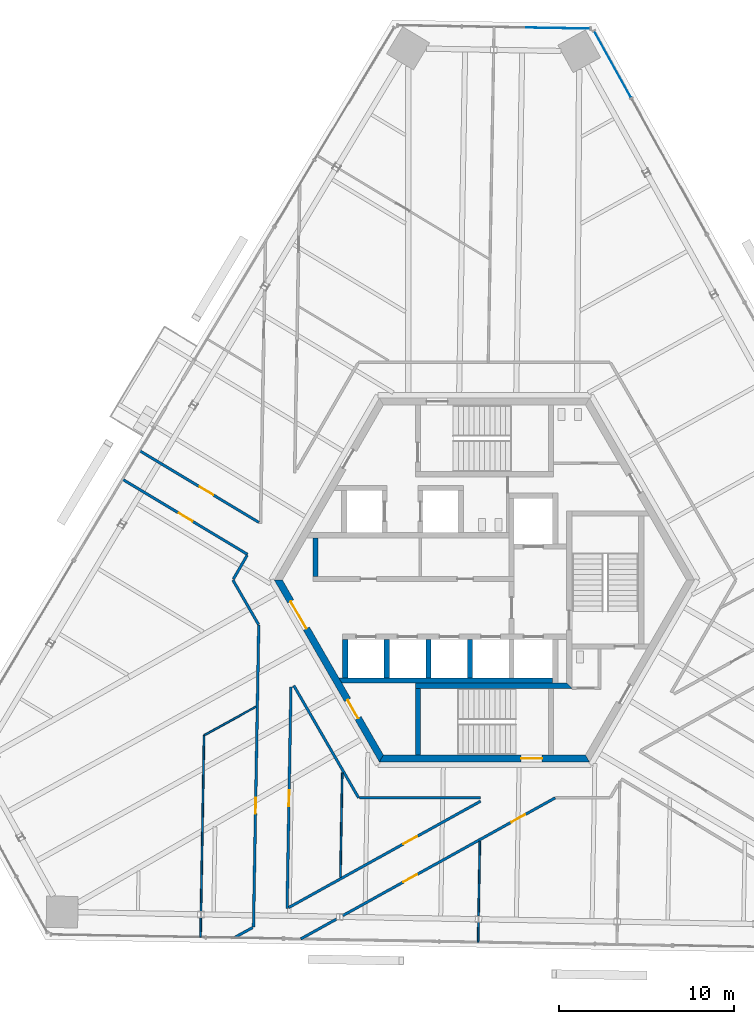
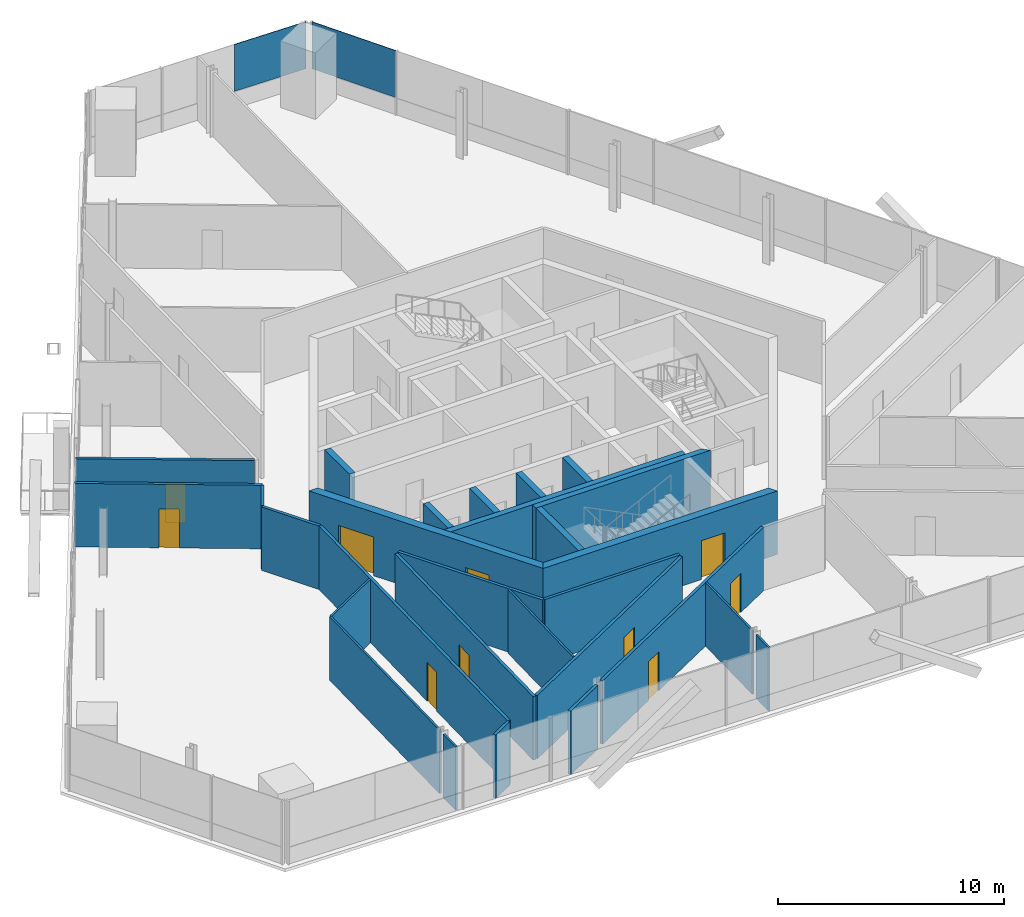
# One storey, part 11 of 18: 28 walls, 10 doors, 2 plates, 10 openings, 2 elements without a shape of their own.
"""IFC4 building model written with IfcOpenShell, lengths in metres."""

from ifc_helpers import new_model, si_unit, direction, frame, frame_2d, origin, origin_2d, place, context, subcontext, project, spatial, polyline, rectangle, outline, extrude, source, transform, mapped, material, layer, layer_set, type_object, element, fill, aggregate, save


model = new_model("IFC4")

# Units and contexts
model_context = context("Model", 3, precision=1e-05, world=origin(), true_north=direction((0.0, 1.0)))
body_context = subcontext(model_context, "Body", "Model", "MODEL_VIEW")
ifc_project = project(units=[si_unit("LENGTHUNIT", "METRE"), si_unit("AREAUNIT", "SQUARE_METRE"), si_unit("VOLUMEUNIT", "CUBIC_METRE"), si_unit("PLANEANGLEUNIT", "RADIAN"), si_unit("MASSUNIT", "GRAM", prefix="KILO")], contexts=[model_context])

# Site, building, storey
site_placement = place(None, origin())
site = spatial("IfcSite", under=ifc_project, at=site_placement, CompositionType="ELEMENT")
building_placement = place(site_placement, origin())
building = spatial("IfcBuilding", under=site, at=building_placement, Name="Triune Harvest Tower", CompositionType="ELEMENT")
storey_placement = place(building_placement, frame((0.0, 0.0, 190.699951171875)))
storey = spatial("IfcBuildingStorey", under=building, at=storey_placement, Name="L49", CompositionType="ELEMENT", Elevation=190.699951171875)

# Curtain wall, plate
ifc_material_1 = material(Name="Aluminium bronze anodised", Category="aluminium")
curtain_wall_type = type_object("IfcCurtainWallType", Name="CW-1 Tower stick curtain wall", PredefinedType="NOTDEFINED", material=ifc_material_1)
curtain_wall_1_placement = place(storey_placement, origin())
curtain_wall_1 = element("IfcCurtainWall", 1, at=curtain_wall_1_placement, inside=storey, type_object=curtain_wall_type, Name="CW-1 B5-F2 L49 run 1")
ifc_material_2 = material(Name="Glass", Category="glass")
ifc_layer_1 = layer(ifc_material_2, 0.031982421875)
ifc_layer_set_1 = layer_set([ifc_layer_1], Name="Glass")
plate_type = type_object("IfcPlateType", Name="GL-1 panel 32", PredefinedType="CURTAIN_PANEL", material=ifc_layer_set_1)
shared_shape_1 = source(origin(), body_context, "Body", "SweptSolid", [
    extrude(rectangle(XDim=3.625, YDim=0.031982421875, at=origin_2d()), origin(), (0.0, 0.0, 1.0), 2.5400390625),
])
plate_1_placement = place(storey_placement, frame((4.213134765625, 31.516357421875, 0.900146484375), z_axis=(0.0, 0.0, 1.0), x_axis=(-0.999847801404, 0.017446318452, 0.0)))
plate_1 = element("IfcPlate", 2, at=plate_1_placement, type_object=plate_type, Name="CW-1 panel B5-F2 1.1", PredefinedType="CURTAIN_PANEL", context=body_context, shape_type="MappedRepresentation", body=[
    mapped(shared_shape_1, transform((0.0, 0.0, 0.0), scale=1.0)),
])
aggregate(curtain_wall_1, [plate_1])

curtain_wall_2_placement = place(storey_placement, origin())
curtain_wall_2 = element("IfcCurtainWall", 3, at=curtain_wall_2_placement, inside=storey, type_object=curtain_wall_type, Name="CW-1 B5-F1 L49 run 2001")
shared_shape_2 = source(origin(), body_context, "Body", "SweptSolid", [
    extrude(rectangle(XDim=4.331787109375, YDim=0.031982421875, at=origin_2d()), origin(), (0.0, 0.0, 1.0), 2.5400390625),
])
plate_2_placement = place(storey_placement, frame((7.320556640625, 29.443359375, 0.900146484375), z_axis=(0.0, 0.0, 1.0), x_axis=(-0.484807744147, 0.874620747076, 0.0)))
plate_2 = element("IfcPlate", 4, at=plate_2_placement, type_object=plate_type, Name="CW-1 panel B5-F1 2001.3", PredefinedType="CURTAIN_PANEL", context=body_context, shape_type="MappedRepresentation", body=[
    mapped(shared_shape_2, transform((0.0, 0.0, 0.0), scale=1.0)),
])
aggregate(curtain_wall_2, [plate_2])

# Walls
ifc_material_3 = material(Name="Gypsum board on steel studs", Category="steel")
ifc_layer_2 = layer(ifc_material_3, 0.14990234375)
ifc_layer_set_2 = layer_set([ifc_layer_2], Name="Gypsum board on steel studs")
wall_type_1 = type_object("IfcWallType", Name="Fire Partition 150 mm", PredefinedType="PARTITIONING", material=ifc_layer_set_2)
wall_1_placement = place(storey_placement, frame((-14.366943359375, 0.0, 0.0), z_axis=(0.0, 0.0, 1.0), x_axis=(0.499971721724, -0.866041729639, 0.0)))
element("IfcWall", 5, at=wall_1_placement, inside=storey, type_object=wall_type_1, Name="Partition L49 002", PredefinedType="PARTITIONING", context=body_context, shape_type="SweptSolid", body=[
    extrude(rectangle(XDim=2.939208984375, YDim=0.14990234375, at=frame_2d((1.4697265625, 0.0))), origin(), (0.0, 0.0, 1.0), 3.43994140625),
])
wall_2_placement = place(storey_placement, frame((-10.885498046875, -6.030517578125, 0.0), z_axis=(0.0, 0.0, 1.0), x_axis=(0.499990780478, -0.866030726613, 0.0)))
element("IfcWall", 6, at=wall_2_placement, inside=storey, type_object=wall_type_1, Name="Partition L49 003", PredefinedType="PARTITIONING", context=body_context, shape_type="SweptSolid", body=[
    extrude(rectangle(XDim=7.403564453125, YDim=0.14990234375, at=frame_2d((3.70166015625, 0.0))), origin(), (0.0, 0.0, 1.0), 3.43994140625),
])

# Wall, opening, door
wall_3_placement = place(storey_placement, frame((-20.66650390625, 5.751953125, 0.0), z_axis=(0.0, 0.0, 1.0), x_axis=(0.857164432696, -0.515042848044, 0.0)))
wall_3 = element("IfcWall", 7, at=wall_3_placement, inside=storey, type_object=wall_type_1, Name="Partition L49 005", PredefinedType="PARTITIONING", context=body_context, shape_type="SweptSolid", body=[
    extrude(rectangle(XDim=8.332763671875, YDim=0.14990234375, at=frame_2d((4.16650390625, 0.0))), origin(), (0.0, 0.0, 1.0), 3.43994140625),
])
opening_1_placement = place(wall_3_placement, frame((3.75, 0.0, 0.0)))
opening_1 = element("IfcOpeningElement", 8, at=opening_1_placement, cuts=wall_3, Name="Opening L49-009", PredefinedType="OPENING", context=body_context, shape_type="SweptSolid", body=[
    extrude(rectangle(XDim=0.89990234375, YDim=2.10009765625, at=frame_2d((0.449951171875, 1.050048828125))), frame((0.0, 0.0849609375, 0.0), z_axis=(0.0, -1.0, 0.0), x_axis=(1.0, 0.0, 0.0)), (0.0, 0.0, 1.0), 0.169921875),
])
ifc_material_4 = material(Name="Timber and steel door set", Category="steel")
door_type_1 = type_object("IfcDoorType", Name="Single leaf door FD30 left hand 900 x 2100", OperationType="SINGLE_SWING_LEFT", PredefinedType="DOOR", material=ifc_material_4)
door_1_placement = place(opening_1_placement, origin())
door_1 = element("IfcDoor", 9, at=door_1_placement, inside=storey, type_object=door_type_1, Name="Door L49-009 Office 49.09", OperationType="SINGLE_SWING_LEFT", OverallHeight=2.10009765625, OverallWidth=0.89990234375, PredefinedType="DOOR", context=body_context, shape_type="SweptSolid", body=[
    extrude(rectangle(XDim=0.89990234375, YDim=2.10009765625, at=frame_2d((0.449951171875, 1.050048828125))), frame((0.0, 0.02490234375, 0.0), z_axis=(0.0, -1.0, 0.0), x_axis=(1.0, 0.0, 0.0)), (0.0, 0.0, 1.0), 0.050048828125),
])
fill(opening_1, door_1)

wall_4_placement = place(storey_placement, frame((-19.687744140625, 7.380615234375, 0.0), z_axis=(0.0, 0.0, 1.0), x_axis=(0.857169957838, -0.515033652667, 0.0)))
wall_4 = element("IfcWall", 10, at=wall_4_placement, inside=storey, type_object=wall_type_1, Name="Partition L49 008", PredefinedType="PARTITIONING", context=body_context, shape_type="SweptSolid", body=[
    extrude(rectangle(XDim=7.94140625, YDim=0.14990234375, at=frame_2d((3.970703125, 0.0))), origin(), (0.0, 0.0, 1.0), 3.43994140625),
])
opening_2_placement = place(wall_4_placement, frame((4.00146484375, 0.0, 0.0)))
opening_2 = element("IfcOpeningElement", 11, at=opening_2_placement, cuts=wall_4, Name="Opening L49-006", PredefinedType="OPENING", context=body_context, shape_type="SweptSolid", body=[
    extrude(rectangle(XDim=0.89990234375, YDim=2.10009765625, at=frame_2d((0.449951171875, 1.050048828125))), frame((0.0, 0.0849609375, 0.0), z_axis=(0.0, -1.0, 0.0), x_axis=(1.0, 0.0, 0.0)), (0.0, 0.0, 1.0), 0.169921875),
])
ifc_material_5 = material(Name="Timber and steel door set", Category="steel")
door_type_2 = type_object("IfcDoorType", Name="Single leaf door FD30 right hand 900 x 2100", OperationType="SINGLE_SWING_RIGHT", PredefinedType="DOOR", material=ifc_material_5)
door_2_placement = place(opening_2_placement, origin())
door_2 = element("IfcDoor", 12, at=door_2_placement, inside=storey, type_object=door_type_2, Name="Door L49-006 Project Room 49.06", OperationType="SINGLE_SWING_RIGHT", OverallHeight=2.10009765625, OverallWidth=0.89990234375, PredefinedType="DOOR", context=body_context, shape_type="SweptSolid", body=[
    extrude(rectangle(XDim=0.89990234375, YDim=2.10009765625, at=frame_2d((0.449951171875, 1.050048828125))), frame((0.0, 0.02490234375, 0.0), z_axis=(0.0, -1.0, 0.0), x_axis=(1.0, 0.0, 0.0)), (0.0, 0.0, 1.0), 0.050048828125),
])
fill(opening_2, door_2)

# Wall, openings, doors
wall_5_placement = place(storey_placement, frame((-8.087646484375, -19.164794921875, 0.0), z_axis=(0.0, 0.0, 1.0), x_axis=(0.874621962761, 0.484805550974, 0.0)))
wall_5 = element("IfcWall", 13, at=wall_5_placement, inside=storey, type_object=wall_type_1, Name="Partition L49 020", PredefinedType="PARTITIONING", context=body_context, shape_type="SweptSolid", body=[
    extrude(rectangle(XDim=13.8662109375, YDim=0.14990234375, at=frame_2d((6.93310546875, 0.0))), origin(), (0.0, 0.0, 1.0), 3.43994140625),
])
opening_3_placement = place(wall_5_placement, frame((3.947509765625, 0.0, 0.0)))
opening_3 = element("IfcOpeningElement", 14, at=opening_3_placement, cuts=wall_5, Name="Opening L49-013", PredefinedType="OPENING", context=body_context, shape_type="SweptSolid", body=[
    extrude(rectangle(XDim=0.89990234375, YDim=2.10009765625, at=frame_2d((0.449951171875, 1.050048828125))), frame((0.0, 0.0849609375, 0.0), z_axis=(0.0, -1.0, 0.0), x_axis=(1.0, 0.0, 0.0)), (0.0, 0.0, 1.0), 0.169921875),
])
opening_4_placement = place(wall_5_placement, frame((11.001220703125, 0.0, 0.0)))
opening_4 = element("IfcOpeningElement", 15, at=opening_4_placement, cuts=wall_5, Name="Opening L49-014", PredefinedType="OPENING", context=body_context, shape_type="SweptSolid", body=[
    extrude(rectangle(XDim=0.89990234375, YDim=2.10009765625, at=frame_2d((0.449951171875, 1.050048828125))), frame((0.0, 0.0849609375, 0.0), z_axis=(0.0, -1.0, 0.0), x_axis=(1.0, 0.0, 0.0)), (0.0, 0.0, 1.0), 0.169921875),
])
door_3_placement = place(opening_4_placement, origin())
door_3 = element("IfcDoor", 16, at=door_3_placement, inside=storey, type_object=door_type_1, Name="Door L49-014 Office 49.14", OperationType="SINGLE_SWING_LEFT", OverallHeight=2.10009765625, OverallWidth=0.89990234375, PredefinedType="DOOR", context=body_context, shape_type="SweptSolid", body=[
    extrude(rectangle(XDim=0.89990234375, YDim=2.10009765625, at=frame_2d((0.449951171875, 1.050048828125))), frame((0.0, 0.02490234375, 0.0), z_axis=(0.0, -1.0, 0.0), x_axis=(1.0, 0.0, 0.0)), (0.0, 0.0, 1.0), 0.050048828125),
])
fill(opening_4, door_3)
door_4_placement = place(opening_3_placement, origin())
door_4 = element("IfcDoor", 17, at=door_4_placement, inside=storey, type_object=door_type_2, Name="Door L49-013 Open Office 49.13", OperationType="SINGLE_SWING_RIGHT", OverallHeight=2.10009765625, OverallWidth=0.89990234375, PredefinedType="DOOR", context=body_context, shape_type="SweptSolid", body=[
    extrude(rectangle(XDim=0.89990234375, YDim=2.10009765625, at=frame_2d((0.449951171875, 1.050048828125))), frame((0.0, 0.02490234375, 0.0), z_axis=(0.0, -1.0, 0.0), x_axis=(1.0, 0.0, 0.0)), (0.0, 0.0, 1.0), 0.050048828125),
])
fill(opening_3, door_4)

# Wall
wall_6_placement = place(storey_placement, frame((-14.342041015625, 0.043212890625, 0.0), z_axis=(0.0, 0.0, 1.0), x_axis=(0.499913424818, 0.86607538222, 0.0)))
element("IfcWall", 18, at=wall_6_placement, inside=storey, type_object=wall_type_1, Name="Partition L49 030", PredefinedType="PARTITIONING", context=body_context, shape_type="SweptSolid", body=[
    extrude(rectangle(XDim=1.586181640625, YDim=0.14990234375, at=frame_2d((0.79296875, 0.0))), origin(), (0.0, 0.0, 1.0), 3.43994140625),
])

# Wall, openings, doors
ifc_material_6 = material(Name="Concrete 70 MPa", Category="concrete")
ifc_layer_3 = layer(ifc_material_6, 0.39990234375)
ifc_layer_set_3 = layer_set([ifc_layer_3], Name="Concrete 70 MPa")
wall_type_2 = type_object("IfcWallType", Name="Core wall 400", PredefinedType="SHEAR", material=ifc_layer_set_3)
shared_shape_3 = source(origin(), body_context, "Body", "SweptSolid", [
    extrude(outline(polyline([(-0.115478515625, -0.199951171875), (11.884521484375, -0.199951171875), (11.653564453125, 0.199951171875), (0.115478515625, 0.199951171875), (-0.115478515625, -0.199951171875)])), origin(), (0.0, 0.0, 1.0), 3.43994140625),
])
wall_7_placement = place(storey_placement, frame((-11.76904296875, 0.0, 0.0), z_axis=(0.0, 0.0, 1.0), x_axis=(0.499996592174, -0.866027371285, 0.0)))
wall_7 = element("IfcWall", 19, at=wall_7_placement, inside=storey, type_object=wall_type_2, Name="Hexagon 3 wall", PredefinedType="SHEAR", context=body_context, shape_type="MappedRepresentation", body=[
    mapped(shared_shape_3, transform((0.0, 0.0, 0.0), scale=1.0)),
])
opening_5_placement = place(wall_7_placement, frame((1.404541015625, 0.0, 0.0)))
opening_5 = element("IfcOpeningElement", 20, at=opening_5_placement, cuts=wall_7, Name="Opening CD-LS", PredefinedType="OPENING", context=body_context, shape_type="SweptSolid", body=[
    extrude(rectangle(XDim=1.800048828125, YDim=2.10009765625, at=frame_2d((0.89990234375, 1.050048828125))), frame((0.0, 0.2099609375, 0.0), z_axis=(0.0, -1.0, 0.0), x_axis=(1.0, 0.0, 0.0)), (0.0, 0.0, 1.0), 0.419921875),
])
opening_6_placement = place(wall_7_placement, frame((7.91455078125, 0.0, 0.0)))
opening_6 = element("IfcOpeningElement", 21, at=opening_6_placement, cuts=wall_7, Name="Opening CD-SWP", PredefinedType="OPENING", context=body_context, shape_type="SweptSolid", body=[
    extrude(rectangle(XDim=1.199951171875, YDim=2.10009765625, at=frame_2d((0.60009765625, 1.050048828125))), frame((0.0, 0.2099609375, 0.0), z_axis=(0.0, -1.0, 0.0), x_axis=(1.0, 0.0, 0.0)), (0.0, 0.0, 1.0), 0.419921875),
])
ifc_material_7 = material(Name="Steel S235", Category="steel")
door_type_3 = type_object("IfcDoorType", Name="Lobby door 1800 FD120", OperationType="DOUBLE_DOOR_DOUBLE_SWING", PredefinedType="DOOR", material=ifc_material_7)
door_5_placement = place(opening_5_placement, frame((1.800048828125, 0.0, 0.0), z_axis=(0.0, 0.0, 1.0), x_axis=(-1.0, 0.0, 0.0)))
door_5 = element("IfcDoor", 22, at=door_5_placement, inside=storey, type_object=door_type_3, Name="Door CD-LS", OperationType="DOUBLE_DOOR_DOUBLE_SWING", OverallHeight=2.10009765625, OverallWidth=1.800048828125, PredefinedType="DOOR", context=body_context, shape_type="SweptSolid", body=[
    extrude(rectangle(XDim=1.800048828125, YDim=2.10009765625, at=frame_2d((0.89990234375, 1.050048828125))), frame((0.0, 0.02490234375, 0.0), z_axis=(0.0, -1.0, 0.0), x_axis=(1.0, 0.0, 0.0)), (0.0, 0.0, 1.0), 0.050048828125),
])
fill(opening_5, door_5)
ifc_material_8 = material(Name="Steel S235", Category="steel")
door_type_4 = type_object("IfcDoorType", Name="Service door 1200 FD120", OperationType="SINGLE_SWING_LEFT", PredefinedType="DOOR", material=ifc_material_8)
door_6_placement = place(opening_6_placement, frame((1.199951171875, 0.0, 0.0), z_axis=(0.0, 0.0, 1.0), x_axis=(-1.0, 0.0, 0.0)))
door_6 = element("IfcDoor", 23, at=door_6_placement, inside=storey, type_object=door_type_4, Name="Door CD-SWP", OperationType="SINGLE_SWING_RIGHT", OverallHeight=2.10009765625, OverallWidth=1.199951171875, PredefinedType="DOOR", context=body_context, shape_type="SweptSolid", body=[
    extrude(rectangle(XDim=1.199951171875, YDim=2.10009765625, at=frame_2d((0.60009765625, 1.050048828125))), frame((0.0, 0.02490234375, 0.0), z_axis=(0.0, -1.0, 0.0), x_axis=(1.0, 0.0, 0.0)), (0.0, 0.0, 1.0), 0.050048828125),
])
fill(opening_6, door_6)

# Wall, opening, door
wall_8_placement = place(storey_placement, frame((-5.884521484375, -10.1923828125, 0.0), z_axis=(0.0, 0.0, 1.0), x_axis=(1.0, 0.0, 0.0)))
wall_8 = element("IfcWall", 24, at=wall_8_placement, inside=storey, type_object=wall_type_2, Name="Hexagon 4 wall", PredefinedType="SHEAR", context=body_context, shape_type="MappedRepresentation", body=[
    mapped(shared_shape_3, transform((0.0, 0.0, 0.0), scale=1.0)),
])
opening_7_placement = place(wall_8_placement, frame((7.984619140625, 0.0, 0.0)))
opening_7 = element("IfcOpeningElement", 25, at=opening_7_placement, cuts=wall_8, Name="Opening CD-S2P", PredefinedType="OPENING", context=body_context, shape_type="SweptSolid", body=[
    extrude(rectangle(XDim=1.199951171875, YDim=2.10009765625, at=frame_2d((0.60009765625, 1.050048828125))), frame((0.0, 0.2099609375, 0.0), z_axis=(0.0, -1.0, 0.0), x_axis=(1.0, 0.0, 0.0)), (0.0, 0.0, 1.0), 0.419921875),
])
ifc_material_9 = material(Name="Steel S235", Category="steel")
door_type_5 = type_object("IfcDoorType", Name="Stair door 1200 FD120", OperationType="SINGLE_SWING_LEFT", PredefinedType="DOOR", material=ifc_material_9)
door_7_placement = place(opening_7_placement, frame((1.199951171875, 0.0, 0.0), z_axis=(0.0, 0.0, 1.0), x_axis=(-1.0, 0.0, 0.0)))
door_7 = element("IfcDoor", 26, at=door_7_placement, inside=storey, type_object=door_type_5, Name="Door CD-S2P", OperationType="SINGLE_SWING_RIGHT", OverallHeight=2.10009765625, OverallWidth=1.199951171875, PredefinedType="DOOR", context=body_context, shape_type="SweptSolid", body=[
    extrude(rectangle(XDim=1.199951171875, YDim=2.10009765625, at=frame_2d((0.60009765625, 1.050048828125))), frame((0.0, 0.02490234375, 0.0), z_axis=(0.0, -1.0, 0.0), x_axis=(1.0, 0.0, 0.0)), (0.0, 0.0, 1.0), 0.050048828125),
])
fill(opening_7, door_7)

# Walls
ifc_material_10 = material(Name="Concrete 70 MPa", Category="concrete")
ifc_layer_4 = layer(ifc_material_10, 0.300048828125)
ifc_layer_set_4 = layer_set([ifc_layer_4], Name="Concrete 70 MPa")
wall_type_3 = type_object("IfcWallType", Name="Core wall 300", PredefinedType="SHEAR", material=ifc_layer_set_4)
shared_shape_4 = source(origin(), body_context, "Body", "SweptSolid", [
    extrude(outline(polyline([(12.0, -0.14990234375), (-0.039794921875, -0.14990234375), (-0.212890625, 0.14990234375), (12.0, 0.14990234375), (12.0, -0.14990234375)])), origin(), (0.0, 0.0, 1.0), 3.43994140625),
])
wall_9_placement = place(storey_placement, frame((-8.10009765625, -5.739990234375, 0.0), z_axis=(0.0, 0.0, 1.0), x_axis=(1.0, 0.0, 0.0)))
element("IfcWall", 27, at=wall_9_placement, inside=storey, type_object=wall_type_3, Name="South back wall", PredefinedType="SHEAR", context=body_context, shape_type="MappedRepresentation", body=[
    mapped(shared_shape_4, transform((0.0, 0.0, 0.0), scale=1.0)),
])
shared_shape_5 = source(origin(), body_context, "Body", "SweptSolid", [
    extrude(rectangle(XDim=2.2001953125, YDim=0.300048828125, at=frame_2d((1.10009765625, 0.0))), origin(), (0.0, 0.0, 1.0), 3.43994140625),
])
for number, where, z_axis, x_axis, name in (
    (28, (-7.949951171875, -5.590087890625, 0.0), (0.0, 0.0, 1.0), (0.0, 1.0, 0.0), "South end west wall"),
    (29, (-5.574951171875, -5.590087890625, 0.0), (0.0, 0.0, 1.0), (0.0, 1.0, 0.0), "South cross 1 wall"),
    (30, (-3.199951171875, -5.590087890625, 0.0), (0.0, 0.0, 1.0), (0.0, 1.0, 0.0), "South cross 2 wall"),
    (31, (-0.824951171875, -5.590087890625, 0.0), (0.0, 0.0, 1.0), (0.0, 1.0, 0.0), "South cross 3 wall"),
):
    element("IfcWall", number, at=place(storey_placement, frame(where, z_axis=z_axis, x_axis=x_axis)), inside=storey, type_object=wall_type_3, Name=name, PredefinedType="SHEAR", context=body_context, shape_type="MappedRepresentation", body=[
        mapped(shared_shape_5, transform((0.0, 0.0, 0.0), scale=1.0)),
    ])
shared_shape_6 = source(origin(), body_context, "Body", "SweptSolid", [
    extrude(rectangle(XDim=2.199951171875, YDim=0.300048828125, at=frame_2d((1.10009765625, 0.0))), origin(), (0.0, 0.0, 1.0), 3.43994140625),
])
wall_10_placement = place(storey_placement, frame((-9.64990234375, 0.2099609375, 0.0), z_axis=(0.0, 0.0, 1.0), x_axis=(0.0, 1.0, 0.0)))
element("IfcWall", 32, at=wall_10_placement, inside=storey, type_object=wall_type_3, Name="North end west wall", PredefinedType="SHEAR", context=body_context, shape_type="MappedRepresentation", body=[
    mapped(shared_shape_6, transform((0.0, 0.0, 0.0), scale=1.0)),
])
shared_shape_7 = source(origin(), body_context, "Body", "SweptSolid", [
    extrude(outline(polyline([(0.0, -0.14990234375), (8.949951171875, -0.14990234375), (8.64990234375, 0.14990234375), (0.0, 0.14990234375), (0.0, -0.14990234375)])), origin(), (0.0, 0.0, 1.0), 3.43994140625),
])
wall_11_placement = place(storey_placement, frame((-3.949951171875, -6.0400390625, 0.0), z_axis=(0.0, 0.0, 1.0), x_axis=(1.0, 0.0, 0.0)))
element("IfcWall", 33, at=wall_11_placement, inside=storey, type_object=wall_type_3, Name="Stair s north wall", PredefinedType="SHEAR", context=body_context, shape_type="MappedRepresentation", body=[
    mapped(shared_shape_7, transform((0.0, 0.0, 0.0), scale=1.0)),
])
shared_shape_8 = source(origin(), body_context, "Body", "SweptSolid", [
    extrude(outline(polyline([(3.800048828125, -0.14990234375), (-0.00439453125, -0.14990234375), (-0.00439453125, 0.14990234375), (3.800048828125, 0.14990234375), (3.800048828125, -0.14990234375)])), origin(), (0.0, 0.0, 1.0), 3.43994140625),
])
wall_12_placement = place(storey_placement, frame((-3.800048828125, -9.989990234375, 0.0), z_axis=(0.0, 0.0, 1.0), x_axis=(0.0, 1.0, 0.0)))
element("IfcWall", 34, at=wall_12_placement, inside=storey, type_object=wall_type_3, Name="Stair s west wall", PredefinedType="SHEAR", context=body_context, shape_type="MappedRepresentation", body=[
    mapped(shared_shape_8, transform((0.0, 0.0, 0.0), scale=1.0)),
])
ifc_material_11 = material(Name="Gypsum board on steel studs", Category="steel")
ifc_layer_5 = layer(ifc_material_11, 0.10009765625)
ifc_layer_set_5 = layer_set([ifc_layer_5], Name="Gypsum board on steel studs")
wall_type_4 = type_object("IfcWallType", Name="Partition 100 mm", PredefinedType="PARTITIONING", material=ifc_layer_set_5)
shared_shape_9 = source(origin(), body_context, "Body", "SweptSolid", [
    extrude(rectangle(XDim=1.13037109375, YDim=0.10009765625, at=frame_2d((0.565185546875, 0.0))), origin(), (0.0, 0.0, 1.0), 3.43994140625),
])
wall_13_placement = place(storey_placement, frame((-0.36083984375, -20.673828125, 0.0), z_axis=(0.0, 0.0, 1.0), x_axis=(0.017495701451, 0.999846938501, 0.0)))
element("IfcWall", 35, at=wall_13_placement, inside=storey, type_object=wall_type_4, Name="Partition L49 037", PredefinedType="PARTITIONING", context=body_context, shape_type="MappedRepresentation", body=[
    mapped(shared_shape_9, transform((0.0, 0.0, 0.0), scale=1.0)),
])
shared_shape_10 = source(origin(), body_context, "Body", "SweptSolid", [
    extrude(rectangle(XDim=1.130615234375, YDim=0.10009765625, at=frame_2d((0.5654296875, 0.0))), origin(), (0.0, 0.0, 1.0), 3.43994140625),
])
wall_14_placement = place(storey_placement, frame((-16.212890625, -20.397216796875, 0.0), z_axis=(0.0, 0.0, 1.0), x_axis=(0.017491923839, 0.999847004596, 0.0)))
element("IfcWall", 36, at=wall_14_placement, inside=storey, type_object=wall_type_4, Name="Partition L49 047", PredefinedType="PARTITIONING", context=body_context, shape_type="MappedRepresentation", body=[
    mapped(shared_shape_10, transform((0.0, 0.0, 0.0), scale=1.0)),
])
shared_shape_11 = source(origin(), body_context, "Body", "SweptSolid", [
    extrude(rectangle(XDim=10.049560546875, YDim=0.10009765625, at=frame_2d((5.02490234375, 0.0))), origin(), (0.0, 0.0, 1.0), 3.43994140625),
])
wall_15_placement = place(storey_placement, frame((-16.187255859375, -18.923583984375, 0.0), z_axis=(0.0, 0.0, 1.0), x_axis=(0.017467024061, 0.999847439898, 0.0)))
element("IfcWall", 37, at=wall_15_placement, inside=storey, type_object=wall_type_4, Name="Partition L49 048", PredefinedType="PARTITIONING", context=body_context, shape_type="MappedRepresentation", body=[
    mapped(shared_shape_11, transform((0.0, 0.0, 0.0), scale=1.0)),
])
shared_shape_12 = source(origin(), body_context, "Body", "SweptSolid", [
    extrude(rectangle(XDim=5.96533203125, YDim=0.10009765625, at=frame_2d((2.982666015625, 0.0))), origin(), (0.0, 0.0, 1.0), 3.43994140625),
])
wall_16_placement = place(storey_placement, frame((-8.224853515625, -16.979248046875, 0.0), z_axis=(0.0, 0.0, 1.0), x_axis=(0.017475840813, 0.999847285833, 0.0)))
element("IfcWall", 38, at=wall_16_placement, inside=storey, type_object=wall_type_4, Name="Partition L49 041", PredefinedType="PARTITIONING", context=body_context, shape_type="MappedRepresentation", body=[
    mapped(shared_shape_12, transform((0.0, 0.0, 0.0), scale=1.0)),
])
shared_shape_13 = source(origin(), body_context, "Body", "SweptSolid", [
    extrude(rectangle(XDim=6.91943359375, YDim=0.14990234375, at=frame_2d((3.459716796875, 0.0))), origin(), (0.0, 0.0, 1.0), 3.43994140625),
])
wall_17_placement = place(storey_placement, frame((-7.133544921875, -12.4423828125, 0.0), z_axis=(0.0, 0.0, 1.0), x_axis=(1.0, 0.0, 0.0)))
element("IfcWall", 39, at=wall_17_placement, inside=storey, type_object=wall_type_1, Name="Partition L49 016", PredefinedType="PARTITIONING", context=body_context, shape_type="MappedRepresentation", body=[
    mapped(shared_shape_13, transform((0.0, 0.0, 0.0), scale=1.0)),
])
shared_shape_14 = source(origin(), body_context, "Body", "SweptSolid", [
    extrude(rectangle(XDim=2.34326171875, YDim=0.14990234375, at=frame_2d((1.171630859375, 0.0))), origin(), (0.0, 0.0, 1.0), 3.43994140625),
])
wall_18_placement = place(storey_placement, frame((-10.4912109375, -20.497314453125, 0.0), z_axis=(0.0, 0.0, 1.0), x_axis=(0.87456978808, 0.484899665681, 0.0)))
element("IfcWall", 40, at=wall_18_placement, inside=storey, type_object=wall_type_1, Name="Partition L49 019", PredefinedType="PARTITIONING", context=body_context, shape_type="MappedRepresentation", body=[
    mapped(shared_shape_14, transform((0.0, 0.0, 0.0), scale=1.0)),
])
shared_shape_15 = source(origin(), body_context, "Body", "SweptSolid", [
    extrude(rectangle(XDim=1.2099609375, YDim=0.14990234375, at=frame_2d((0.60498046875, 0.0))), origin(), (0.0, 0.0, 1.0), 3.43994140625),
])
wall_19_placement = place(storey_placement, frame((-14.290771484375, -20.430908203125, 0.0), z_axis=(0.0, 0.0, 1.0), x_axis=(0.874566260636, 0.484906027759, 0.0)))
element("IfcWall", 41, at=wall_19_placement, inside=storey, type_object=wall_type_1, Name="Partition L49 022", PredefinedType="PARTITIONING", context=body_context, shape_type="MappedRepresentation", body=[
    mapped(shared_shape_15, transform((0.0, 0.0, 0.0), scale=1.0)),
])

# Wall, opening, door
shared_shape_16 = source(origin(), body_context, "Body", "SweptSolid", [
    extrude(rectangle(XDim=12.526611328125, YDim=0.14990234375, at=frame_2d((6.26318359375, 0.0))), origin(), (0.0, 0.0, 1.0), 3.43994140625),
])
wall_20_placement = place(storey_placement, frame((-11.173583984375, -18.702880859375, 0.0), z_axis=(0.0, 0.0, 1.0), x_axis=(0.874621136769, 0.484807041116, 0.0)))
wall_20 = element("IfcWall", 42, at=wall_20_placement, inside=storey, type_object=wall_type_1, Name="Partition L49 023", PredefinedType="PARTITIONING", context=body_context, shape_type="MappedRepresentation", body=[
    mapped(shared_shape_16, transform((0.0, 0.0, 0.0), scale=1.0)),
])
opening_8_placement = place(wall_20_placement, frame((7.47314453125, 0.0, 0.0)))
opening_8 = element("IfcOpeningElement", 43, at=opening_8_placement, cuts=wall_20, Name="Opening L49-012", PredefinedType="OPENING", context=body_context, shape_type="SweptSolid", body=[
    extrude(rectangle(XDim=0.89990234375, YDim=2.10009765625, at=frame_2d((0.449951171875, 1.050048828125))), frame((0.0, 0.0849609375, 0.0), z_axis=(0.0, -1.0, 0.0), x_axis=(1.0, 0.0, 0.0)), (0.0, 0.0, 1.0), 0.169921875),
])
door_8_placement = place(opening_8_placement, origin())
door_8 = element("IfcDoor", 44, at=door_8_placement, inside=storey, type_object=door_type_2, Name="Door L49-012 Open Office 49.12", OperationType="SINGLE_SWING_RIGHT", OverallHeight=2.10009765625, OverallWidth=0.89990234375, PredefinedType="DOOR", context=body_context, shape_type="SweptSolid", body=[
    extrude(rectangle(XDim=0.89990234375, YDim=2.10009765625, at=frame_2d((0.449951171875, 1.050048828125))), frame((0.0, 0.02490234375, 0.0), z_axis=(0.0, -1.0, 0.0), x_axis=(1.0, 0.0, 0.0)), (0.0, 0.0, 1.0), 0.050048828125),
])
fill(opening_8, door_8)

# Walls
shared_shape_17 = source(origin(), body_context, "Body", "SweptSolid", [
    extrude(rectangle(XDim=3.36962890625, YDim=0.10009765625, at=frame_2d((1.684814453125, 0.0))), origin(), (0.0, 0.0, 1.0), 3.43994140625),
])
wall_21_placement = place(storey_placement, frame((-15.994384765625, -8.86572265625, 0.0), z_axis=(0.0, 0.0, 1.0), x_axis=(0.874638718948, 0.48477532045, 0.0)))
element("IfcWall", 45, at=wall_21_placement, inside=storey, type_object=wall_type_4, Name="Partition L49 027", PredefinedType="PARTITIONING", context=body_context, shape_type="MappedRepresentation", body=[
    mapped(shared_shape_17, transform((0.0, 0.0, 0.0), scale=1.0)),
])
shared_shape_18 = source(origin(), body_context, "Body", "SweptSolid", [
    extrude(rectangle(XDim=4.285888671875, YDim=0.10009765625, at=frame_2d((2.14306640625, 0.0))), origin(), (0.0, 0.0, 1.0), 3.43994140625),
])
wall_22_placement = place(storey_placement, frame((-0.335205078125, -19.200439453125, 0.0), z_axis=(0.0, 0.0, 1.0), x_axis=(0.017488209341, 0.999847069573, 0.0)))
element("IfcWall", 46, at=wall_22_placement, inside=storey, type_object=wall_type_4, Name="Partition L49 038", PredefinedType="PARTITIONING", context=body_context, shape_type="MappedRepresentation", body=[
    mapped(shared_shape_18, transform((0.0, 0.0, 0.0), scale=1.0)),
])

# Wall, opening, door
shared_shape_19 = source(origin(), body_context, "Body", "SweptSolid", [
    extrude(rectangle(XDim=12.636962890625, YDim=0.14990234375, at=frame_2d((6.318359375, 0.0))), origin(), (0.0, 0.0, 1.0), 3.43994140625),
])
wall_23_placement = place(storey_placement, frame((-11.27001953125, -18.75634765625, 0.0), z_axis=(0.0, 0.0, 1.0), x_axis=(0.017464922205, 0.999847476615, 0.0)))
wall_23 = element("IfcWall", 47, at=wall_23_placement, inside=storey, type_object=wall_type_1, Name="Partition L49 042", PredefinedType="PARTITIONING", context=body_context, shape_type="MappedRepresentation", body=[
    mapped(shared_shape_19, transform((0.0, 0.0, 0.0), scale=1.0)),
])
opening_9_placement = place(wall_23_placement, frame((5.85009765625, 0.0, 0.0)))
opening_9 = element("IfcOpeningElement", 48, at=opening_9_placement, cuts=wall_23, Name="Opening L49-011", PredefinedType="OPENING", context=body_context, shape_type="SweptSolid", body=[
    extrude(rectangle(XDim=0.89990234375, YDim=2.10009765625, at=frame_2d((0.449951171875, 1.050048828125))), frame((0.0, 0.0849609375, 0.0), z_axis=(0.0, -1.0, 0.0), x_axis=(1.0, 0.0, 0.0)), (0.0, 0.0, 1.0), 0.169921875),
])
door_9_placement = place(opening_9_placement, origin())
door_9 = element("IfcDoor", 49, at=door_9_placement, inside=storey, type_object=door_type_2, Name="Door L49-011 Meeting Room 49.11", OperationType="SINGLE_SWING_RIGHT", OverallHeight=2.10009765625, OverallWidth=0.89990234375, PredefinedType="DOOR", context=body_context, shape_type="SweptSolid", body=[
    extrude(rectangle(XDim=0.89990234375, YDim=2.10009765625, at=frame_2d((0.449951171875, 1.050048828125))), frame((0.0, 0.02490234375, 0.0), z_axis=(0.0, -1.0, 0.0), x_axis=(1.0, 0.0, 0.0)), (0.0, 0.0, 1.0), 0.050048828125),
])
fill(opening_9, door_9)

shared_shape_20 = source(origin(), body_context, "Body", "SweptSolid", [
    extrude(rectangle(XDim=17.259765625, YDim=0.14990234375, at=frame_2d((8.6298828125, 0.0))), origin(), (0.0, 0.0, 1.0), 3.43994140625),
])
wall_24_placement = place(storey_placement, frame((-13.188720703125, -19.81982421875, 0.0), z_axis=(0.0, 0.0, 1.0), x_axis=(0.017440934497, 0.999847895334, 0.0)))
wall_24 = element("IfcWall", 50, at=wall_24_placement, inside=storey, type_object=wall_type_1, Name="Partition L49 044", PredefinedType="PARTITIONING", context=body_context, shape_type="MappedRepresentation", body=[
    mapped(shared_shape_20, transform((0.0, 0.0, 0.0), scale=1.0)),
])
opening_10_placement = place(wall_24_placement, frame((6.4833984375, 0.0, 0.0)))
opening_10 = element("IfcOpeningElement", 51, at=opening_10_placement, cuts=wall_24, Name="Opening L49-010", PredefinedType="OPENING", context=body_context, shape_type="SweptSolid", body=[
    extrude(rectangle(XDim=0.89990234375, YDim=2.10009765625, at=frame_2d((0.449951171875, 1.050048828125))), frame((0.0, 0.0849609375, 0.0), z_axis=(0.0, -1.0, 0.0), x_axis=(1.0, 0.0, 0.0)), (0.0, 0.0, 1.0), 0.169921875),
])
door_10_placement = place(opening_10_placement, origin())
door_10 = element("IfcDoor", 52, at=door_10_placement, inside=storey, type_object=door_type_1, Name="Door L49-010 Office 49.10", OperationType="SINGLE_SWING_LEFT", OverallHeight=2.10009765625, OverallWidth=0.89990234375, PredefinedType="DOOR", context=body_context, shape_type="SweptSolid", body=[
    extrude(rectangle(XDim=0.89990234375, YDim=2.10009765625, at=frame_2d((0.449951171875, 1.050048828125))), frame((0.0, 0.02490234375, 0.0), z_axis=(0.0, -1.0, 0.0), x_axis=(1.0, 0.0, 0.0)), (0.0, 0.0, 1.0), 0.050048828125),
])
fill(opening_10, door_10)

save(model, "model.ifc")
